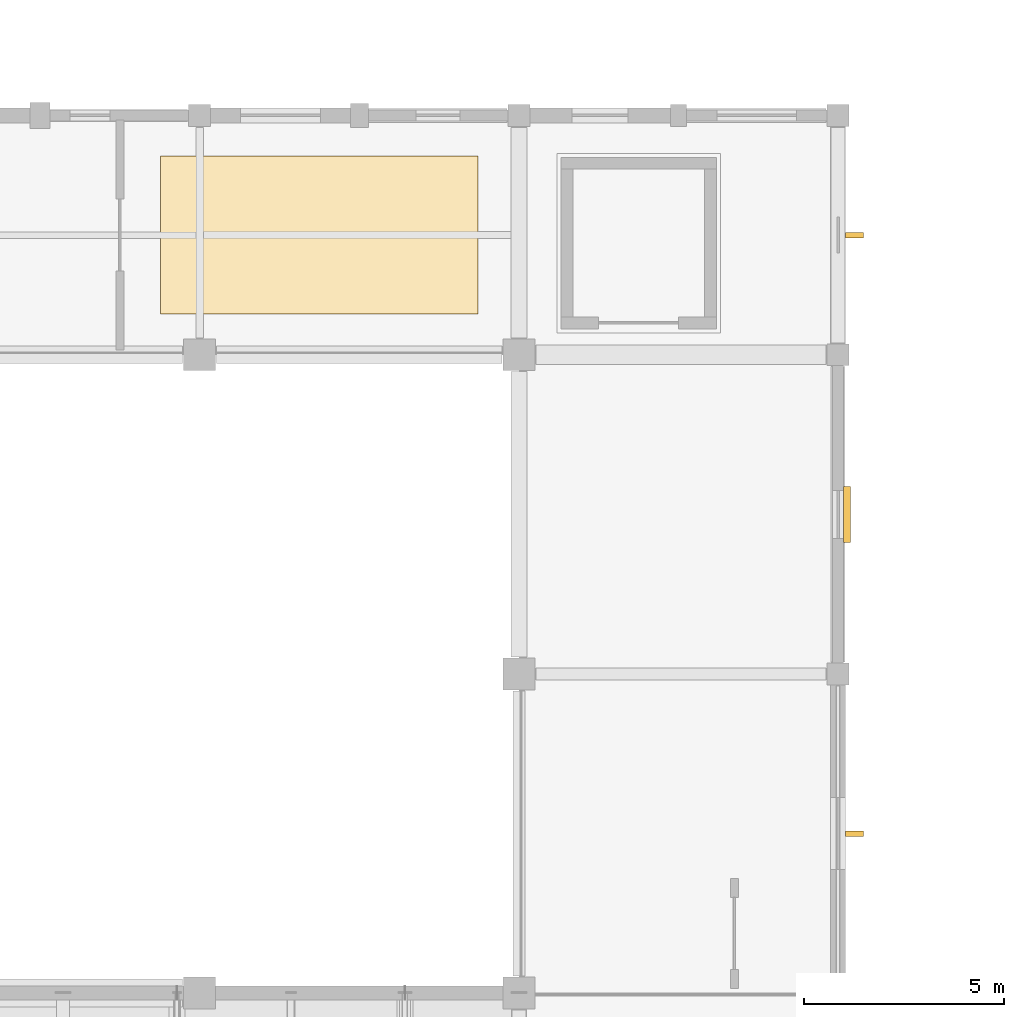
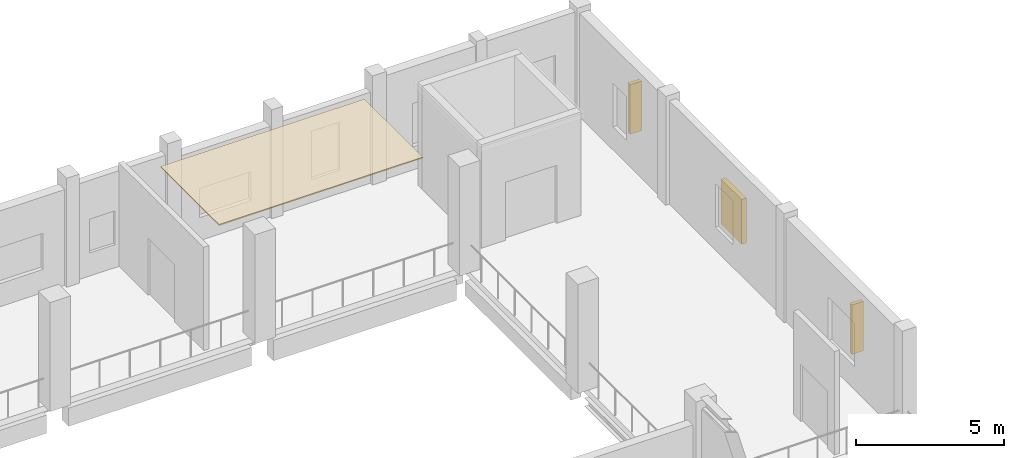
# One storey, part 73 of 77: 3 shading devices, 1 covering.
"""IFC4 building model written with IfcOpenShell, lengths in metres."""

from ifc_helpers import new_model, si_unit, direction, frame, origin, origin_2d, place, context, subcontext, project, spatial, polyline, rectangle, outline, extrude, material, layer, layer_set, type_object, element, save


model = new_model("IFC4")

# Units and contexts
model_context = context("Model", 3, precision=1e-05, world=origin(), true_north=direction((0.0, 1.0)))
body_context = subcontext(model_context, "Body", "Model", "MODEL_VIEW")
ifc_project = project(units=[si_unit("LENGTHUNIT", "METRE"), si_unit("AREAUNIT", "SQUARE_METRE"), si_unit("VOLUMEUNIT", "CUBIC_METRE"), si_unit("PLANEANGLEUNIT", "RADIAN"), si_unit("MASSUNIT", "GRAM", prefix="KILO")], contexts=[model_context])

# Site, building, storey
site_placement = place(None, origin())
site = spatial("IfcSite", under=ifc_project, at=site_placement, CompositionType="ELEMENT")
building_placement = place(site_placement, origin())
building = spatial("IfcBuilding", under=site, at=building_placement, Name="Luwemba Playhouse", CompositionType="ELEMENT")
storey_placement = place(building_placement, frame((0.0, 0.0, 9.300048828125)))
storey = spatial("IfcBuildingStorey", under=building, at=storey_placement, Name="L02", CompositionType="ELEMENT", Elevation=9.300048828125)

# Covering
ifc_material_1 = material(Name="Perforated acoustic gypsum and timber baffle ceiling", Category="wood")
ifc_layer = layer(ifc_material_1, 0.044921875)
ifc_layer_set = layer_set([ifc_layer], Name="Perforated acoustic gypsum and timber baffle ceiling")
covering_type = type_object("IfcCoveringType", Name="COV-CEIL-AC", PredefinedType="CEILING", material=ifc_layer_set)
covering_placement = place(storey_placement, frame((0.0, 0.0, 4.224853515625)))
element("IfcCovering", 1, at=covering_placement, inside=storey, type_object=covering_type, Name="L02 Motor Hoist Control Room acoustic ceiling cloud", PredefinedType="CEILING", context=body_context, shape_type="SweptSolid", body=[
    extrude(outline(polyline([(35.02001953125, 85.02001953125), (42.97998046875, 85.02001953125), (42.97998046875, 88.97998046875), (35.02001953125, 88.97998046875), (35.02001953125, 85.02001953125)])), origin(), (0.0, 0.0, 1.0), 0.045166015625),
])

# Shading devices
ifc_material_2 = material(Name="Extruded terracotta brise-soleil fin on steel bracket", Category="masonry")
shading_device_type_1 = type_object("IfcShadingDeviceType", Name="SHD-BRISE", PredefinedType="USERDEFINED", material=ifc_material_2)
for number, where, z_axis, x_axis, name in (
    (2, (52.409912109375, 87.0, 0.82470703125), (0.0, 0.0, 1.0), (0.0, -1.0, 0.0), "L02 terracotta brise-soleil fin 047"),
    (3, (52.409912109375, 72.0, 0.82470703125), (0.0, 0.0, 1.0), (0.0, -1.0, 0.0), "L02 terracotta brise-soleil fin 049"),
):
    element("IfcShadingDevice", number, at=place(storey_placement, frame(where, z_axis=z_axis, x_axis=x_axis)), inside=storey, type_object=shading_device_type_1, Name=name, ObjectType="TERRACOTTA BRISE SOLEIL", PredefinedType="USERDEFINED", context=body_context, shape_type="SweptSolid", body=[
        extrude(rectangle(XDim=0.139892578125, YDim=0.449951171875, at=origin_2d()), origin(), (0.0, 0.0, 1.0), 2.050048828125),
    ])
ifc_material_3 = material(Name="Kiln-fired terracotta gelosia louvre screen", Category="masonry")
shading_device_type_2 = type_object("IfcShadingDeviceType", Name="SHD-GELOSIA", PredefinedType="JALOUSIE", material=ifc_material_3)
shading_device_placement = place(storey_placement, frame((52.22509765625, 80.0, 0.9248046875), z_axis=(0.0, 0.0, 1.0), x_axis=(0.0, -1.0, 0.0)))
element("IfcShadingDevice", 4, at=shading_device_placement, inside=storey, type_object=shading_device_type_2, Name="L02 fired-clay gelosia screen 048", PredefinedType="JALOUSIE", context=body_context, shape_type="SweptSolid", body=[
    extrude(rectangle(XDim=1.39990234375, YDim=0.179931640625, at=origin_2d()), origin(), (0.0, 0.0, 1.0), 1.85009765625),
])

save(model, "model.ifc")
